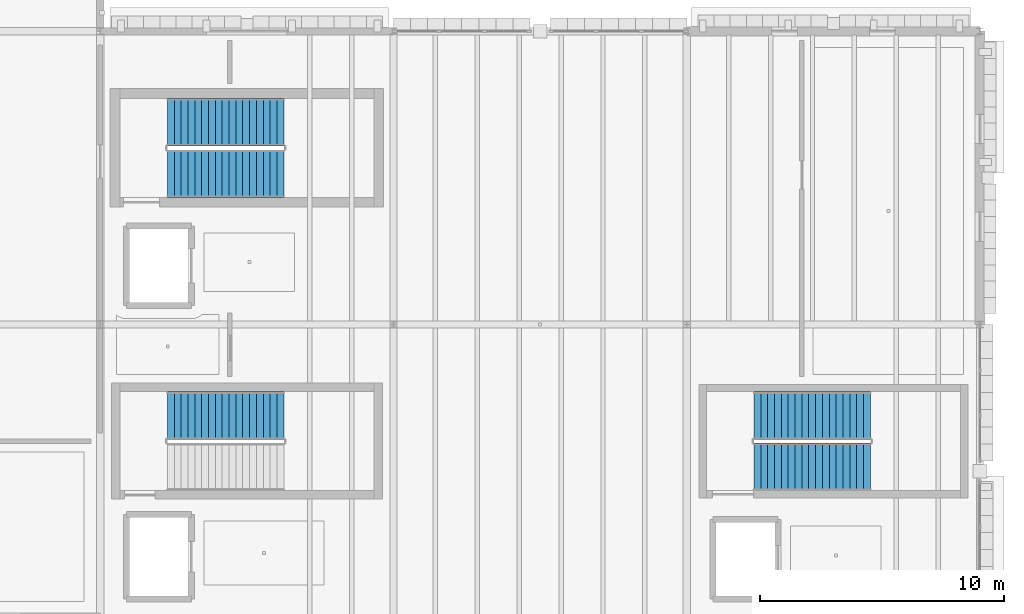
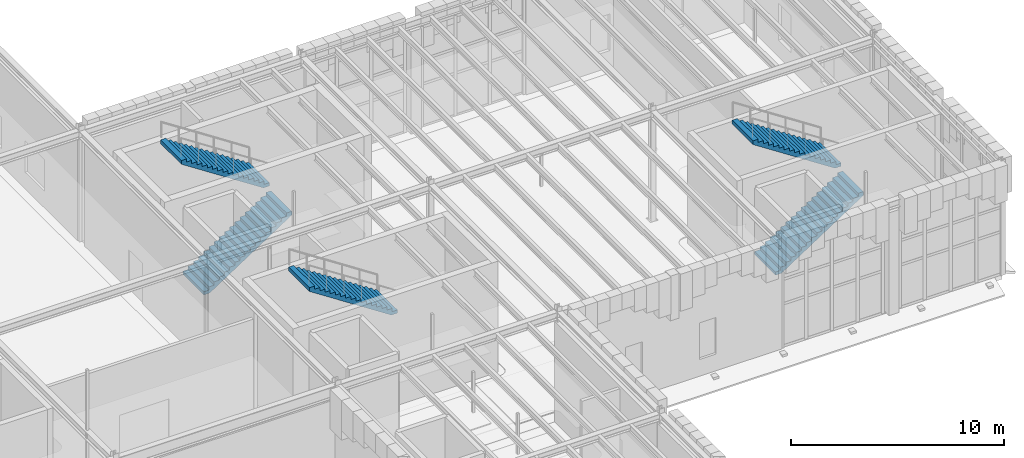
# One storey, part 43 of 62: 5 stair flights, 3 elements without a shape of their own.
"""IFC4 building model written with IfcOpenShell, lengths in metres."""

from ifc_helpers import new_model, si_unit, direction, frame, origin, place, context, subcontext, project, spatial, polyline, outline, extrude, material, type_object, element, aggregate, save


model = new_model("IFC4")

# Units and contexts
model_context = context("Model", 3, precision=1e-05, world=origin(), true_north=direction((0.0, 1.0)))
body_context = subcontext(model_context, "Body", "Model", "MODEL_VIEW")
ifc_project = project(units=[si_unit("LENGTHUNIT", "METRE"), si_unit("AREAUNIT", "SQUARE_METRE"), si_unit("VOLUMEUNIT", "CUBIC_METRE"), si_unit("PLANEANGLEUNIT", "RADIAN"), si_unit("MASSUNIT", "GRAM", prefix="KILO")], contexts=[model_context])

# Site, building, storey
site_placement = place(None, origin())
site = spatial("IfcSite", under=ifc_project, at=site_placement, CompositionType="ELEMENT")
building_placement = place(site_placement, origin())
building = spatial("IfcBuilding", under=site, at=building_placement, Name="Zlatogorsky Bluff Art Gallery", CompositionType="ELEMENT")
storey_placement = place(building_placement, frame((0.0, 0.0, 16.800048828125)))
storey = spatial("IfcBuildingStorey", under=building, at=storey_placement, Name="L03", CompositionType="ELEMENT", Elevation=16.800048828125)

# Stair, stair flight
ifc_material = material(Name="Concrete C30/37", Category="concrete")
stair_type = type_object("IfcStairType", Name="Protected Dogleg Stair ST-T8", PredefinedType="HALF_TURN_STAIR", material=ifc_material)
stair_1_placement = place(storey_placement, origin())
stair_1 = element("IfcStair", 1, at=stair_1_placement, inside=storey, type_object=stair_type, Name="L03 Protected Exit Stair ST-02", PredefinedType="HALF_TURN_STAIR")
stair_flight_type = type_object("IfcStairFlightType", Name="Stair Flight ST-T8", PredefinedType="STRAIGHT", material=ifc_material)
stair_flight_1_placement = place(storey_placement, frame((127.510009765625, 92.27490234375, 3.300048828125), z_axis=(0.0, 0.0, 1.0), x_axis=(-1.0, 0.0, 0.0)))
stair_flight_1 = element("IfcStairFlight", 2, at=stair_flight_1_placement, type_object=stair_flight_type, Name="ST-02 flight 2", NumberOfRisers=18, NumberOfTreads=17, PredefinedType="STRAIGHT", RiserHeight=0.183333333, TreadLength=0.28, context=body_context, shape_type="SweptSolid", body=[
    extrude(outline(polyline([(0.0, 0.0), (0.0, 0.183349609375), (0.280029296875, 0.183349609375), (0.280029296875, 0.36669921875), (0.56005859375, 0.36669921875), (0.56005859375, 0.550048828125), (0.840087890625, 0.550048828125), (0.840087890625, 0.7333984375), (1.1201171875, 0.7333984375), (1.1201171875, 0.916748046875), (1.39990234375, 0.916748046875), (1.39990234375, 1.10009765625), (1.679931640625, 1.10009765625), (1.679931640625, 1.283447265625), (1.9599609375, 1.283447265625), (1.9599609375, 1.466552734375), (2.239990234375, 1.466552734375), (2.239990234375, 1.64990234375), (2.52001953125, 1.64990234375), (2.52001953125, 1.833251953125), (2.800048828125, 1.833251953125), (2.800048828125, 2.0166015625), (3.080078125, 2.0166015625), (3.080078125, 2.199951171875), (3.360107421875, 2.199951171875), (3.360107421875, 2.38330078125), (3.639892578125, 2.38330078125), (3.639892578125, 2.566650390625), (3.919921875, 2.566650390625), (3.919921875, 2.75), (4.199951171875, 2.75), (4.199951171875, 2.933349609375), (4.47998046875, 2.933349609375), (4.47998046875, 3.11669921875), (4.760009765625, 3.11669921875), (4.760009765625, 3.300048828125), (4.760009765625, 2.901611328125), (0.328369140625, 0.0), (0.0, 0.0)])), frame((0.0, 0.97509765625, 0.0), z_axis=(0.0, -1.0, 0.0), x_axis=(1.0, 0.0, 0.0)), (0.0, 0.0, 1.0), 1.949951171875),
])
aggregate(stair_1, [stair_flight_1])

# Stair, stair flights
stair_2_placement = place(storey_placement, origin())
stair_2 = element("IfcStair", 3, at=stair_2_placement, inside=storey, type_object=stair_type, Name="L03 Protected Exit Stair ST-03", PredefinedType="HALF_TURN_STAIR")
stair_flight_2_placement = place(storey_placement, frame((122.75, 102.175048828125, 0.0), z_axis=(0.0, 0.0, 1.0), x_axis=(1.0, 0.0, 0.0)))
stair_flight_2 = element("IfcStairFlight", 4, at=stair_flight_2_placement, type_object=stair_flight_type, Name="ST-03 flight 1", NumberOfRisers=18, NumberOfTreads=17, PredefinedType="STRAIGHT", RiserHeight=0.183333333, TreadLength=0.28, context=body_context, shape_type="SweptSolid", body=[
    extrude(outline(polyline([(0.0, 0.0), (0.0, 0.183349609375), (0.280029296875, 0.183349609375), (0.280029296875, 0.36669921875), (0.56005859375, 0.36669921875), (0.56005859375, 0.550048828125), (0.840087890625, 0.550048828125), (0.840087890625, 0.7333984375), (1.1201171875, 0.7333984375), (1.1201171875, 0.916748046875), (1.39990234375, 0.916748046875), (1.39990234375, 1.10009765625), (1.679931640625, 1.10009765625), (1.679931640625, 1.283447265625), (1.9599609375, 1.283447265625), (1.9599609375, 1.466552734375), (2.239990234375, 1.466552734375), (2.239990234375, 1.64990234375), (2.52001953125, 1.64990234375), (2.52001953125, 1.833251953125), (2.800048828125, 1.833251953125), (2.800048828125, 2.0166015625), (3.080078125, 2.0166015625), (3.080078125, 2.199951171875), (3.360107421875, 2.199951171875), (3.360107421875, 2.38330078125), (3.639892578125, 2.38330078125), (3.639892578125, 2.566650390625), (3.919921875, 2.566650390625), (3.919921875, 2.75), (4.199951171875, 2.75), (4.199951171875, 2.933349609375), (4.47998046875, 2.933349609375), (4.47998046875, 3.11669921875), (4.760009765625, 3.11669921875), (4.760009765625, 3.300048828125), (4.760009765625, 2.901611328125), (0.328369140625, 0.0), (0.0, 0.0)])), frame((0.0, 0.97509765625, 0.0), z_axis=(0.0, -1.0, 0.0), x_axis=(1.0, 0.0, 0.0)), (0.0, 0.0, 1.0), 1.949951171875),
])
stair_flight_3_placement = place(storey_placement, frame((127.510009765625, 104.27490234375, 3.300048828125), z_axis=(0.0, 0.0, 1.0), x_axis=(-1.0, 0.0, 0.0)))
stair_flight_3 = element("IfcStairFlight", 5, at=stair_flight_3_placement, type_object=stair_flight_type, Name="ST-03 flight 2", NumberOfRisers=18, NumberOfTreads=17, PredefinedType="STRAIGHT", RiserHeight=0.183333333, TreadLength=0.28, context=body_context, shape_type="SweptSolid", body=[
    extrude(outline(polyline([(0.0, 0.0), (0.0, 0.183349609375), (0.280029296875, 0.183349609375), (0.280029296875, 0.36669921875), (0.56005859375, 0.36669921875), (0.56005859375, 0.550048828125), (0.840087890625, 0.550048828125), (0.840087890625, 0.7333984375), (1.1201171875, 0.7333984375), (1.1201171875, 0.916748046875), (1.39990234375, 0.916748046875), (1.39990234375, 1.10009765625), (1.679931640625, 1.10009765625), (1.679931640625, 1.283447265625), (1.9599609375, 1.283447265625), (1.9599609375, 1.466552734375), (2.239990234375, 1.466552734375), (2.239990234375, 1.64990234375), (2.52001953125, 1.64990234375), (2.52001953125, 1.833251953125), (2.800048828125, 1.833251953125), (2.800048828125, 2.0166015625), (3.080078125, 2.0166015625), (3.080078125, 2.199951171875), (3.360107421875, 2.199951171875), (3.360107421875, 2.38330078125), (3.639892578125, 2.38330078125), (3.639892578125, 2.566650390625), (3.919921875, 2.566650390625), (3.919921875, 2.75), (4.199951171875, 2.75), (4.199951171875, 2.933349609375), (4.47998046875, 2.933349609375), (4.47998046875, 3.11669921875), (4.760009765625, 3.11669921875), (4.760009765625, 3.300048828125), (4.760009765625, 2.901611328125), (0.328369140625, 0.0), (0.0, 0.0)])), frame((0.0, 0.97509765625, 0.0), z_axis=(0.0, -1.0, 0.0), x_axis=(1.0, 0.0, 0.0)), (0.0, 0.0, 1.0), 1.949951171875),
])
aggregate(stair_2, [stair_flight_2, stair_flight_3])

stair_3_placement = place(storey_placement, origin())
stair_3 = element("IfcStair", 6, at=stair_3_placement, inside=storey, type_object=stair_type, Name="L03 Protected Exit Stair ST-04", PredefinedType="HALF_TURN_STAIR")
stair_flight_4_placement = place(storey_placement, frame((146.75, 90.175048828125, 0.0), z_axis=(0.0, 0.0, 1.0), x_axis=(1.0, 0.0, 0.0)))
stair_flight_4 = element("IfcStairFlight", 7, at=stair_flight_4_placement, type_object=stair_flight_type, Name="ST-04 flight 1", NumberOfRisers=18, NumberOfTreads=17, PredefinedType="STRAIGHT", RiserHeight=0.183333333, TreadLength=0.28, context=body_context, shape_type="SweptSolid", body=[
    extrude(outline(polyline([(0.0, 0.0), (0.0, 0.183349609375), (0.280029296875, 0.183349609375), (0.280029296875, 0.36669921875), (0.56005859375, 0.36669921875), (0.56005859375, 0.550048828125), (0.840087890625, 0.550048828125), (0.840087890625, 0.7333984375), (1.1201171875, 0.7333984375), (1.1201171875, 0.916748046875), (1.39990234375, 0.916748046875), (1.39990234375, 1.10009765625), (1.679931640625, 1.10009765625), (1.679931640625, 1.283447265625), (1.9599609375, 1.283447265625), (1.9599609375, 1.466552734375), (2.239990234375, 1.466552734375), (2.239990234375, 1.64990234375), (2.52001953125, 1.64990234375), (2.52001953125, 1.833251953125), (2.800048828125, 1.833251953125), (2.800048828125, 2.0166015625), (3.080078125, 2.0166015625), (3.080078125, 2.199951171875), (3.360107421875, 2.199951171875), (3.360107421875, 2.38330078125), (3.639892578125, 2.38330078125), (3.639892578125, 2.566650390625), (3.919921875, 2.566650390625), (3.919921875, 2.75), (4.199951171875, 2.75), (4.199951171875, 2.933349609375), (4.47998046875, 2.933349609375), (4.47998046875, 3.11669921875), (4.760009765625, 3.11669921875), (4.760009765625, 3.300048828125), (4.760009765625, 2.901611328125), (0.328369140625, 0.0), (0.0, 0.0)])), frame((0.0, 0.97509765625, 0.0), z_axis=(0.0, -1.0, 0.0), x_axis=(1.0, 0.0, 0.0)), (0.0, 0.0, 1.0), 1.949951171875),
])
stair_flight_5_placement = place(storey_placement, frame((151.510009765625, 92.27490234375, 3.300048828125), z_axis=(0.0, 0.0, 1.0), x_axis=(-1.0, 0.0, 0.0)))
stair_flight_5 = element("IfcStairFlight", 8, at=stair_flight_5_placement, type_object=stair_flight_type, Name="ST-04 flight 2", NumberOfRisers=18, NumberOfTreads=17, PredefinedType="STRAIGHT", RiserHeight=0.183333333, TreadLength=0.28, context=body_context, shape_type="SweptSolid", body=[
    extrude(outline(polyline([(0.0, 0.0), (0.0, 0.183349609375), (0.280029296875, 0.183349609375), (0.280029296875, 0.36669921875), (0.56005859375, 0.36669921875), (0.56005859375, 0.550048828125), (0.840087890625, 0.550048828125), (0.840087890625, 0.7333984375), (1.1201171875, 0.7333984375), (1.1201171875, 0.916748046875), (1.39990234375, 0.916748046875), (1.39990234375, 1.10009765625), (1.679931640625, 1.10009765625), (1.679931640625, 1.283447265625), (1.9599609375, 1.283447265625), (1.9599609375, 1.466552734375), (2.239990234375, 1.466552734375), (2.239990234375, 1.64990234375), (2.52001953125, 1.64990234375), (2.52001953125, 1.833251953125), (2.800048828125, 1.833251953125), (2.800048828125, 2.0166015625), (3.080078125, 2.0166015625), (3.080078125, 2.199951171875), (3.360107421875, 2.199951171875), (3.360107421875, 2.38330078125), (3.639892578125, 2.38330078125), (3.639892578125, 2.566650390625), (3.919921875, 2.566650390625), (3.919921875, 2.75), (4.199951171875, 2.75), (4.199951171875, 2.933349609375), (4.47998046875, 2.933349609375), (4.47998046875, 3.11669921875), (4.760009765625, 3.11669921875), (4.760009765625, 3.300048828125), (4.760009765625, 2.901611328125), (0.328369140625, 0.0), (0.0, 0.0)])), frame((0.0, 0.97509765625, 0.0), z_axis=(0.0, -1.0, 0.0), x_axis=(1.0, 0.0, 0.0)), (0.0, 0.0, 1.0), 1.949951171875),
])
aggregate(stair_3, [stair_flight_4, stair_flight_5])

save(model, "model.ifc")
